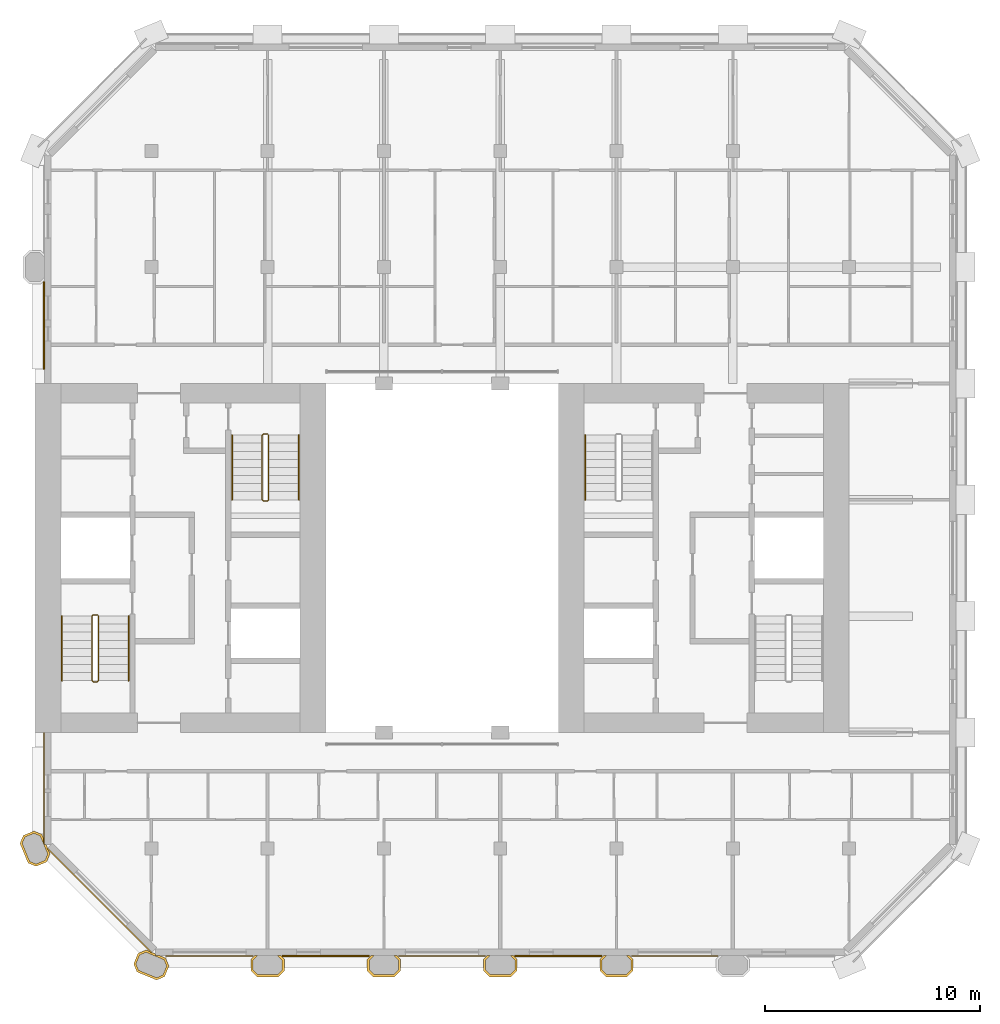
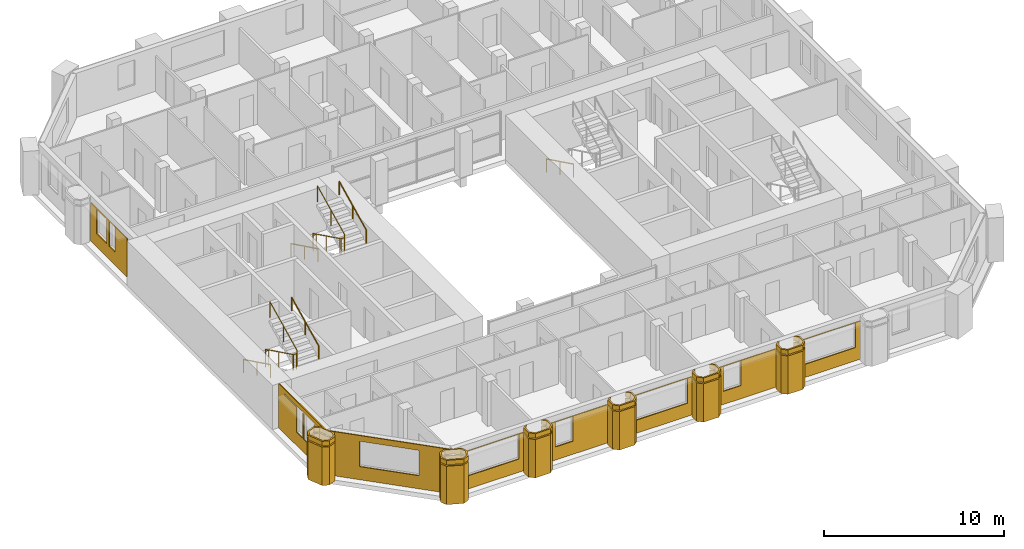
# One storey, part 11 of 13: 20 coverings, 7 railings.
"""IFC4 building model written with IfcOpenShell, lengths in metres."""

from ifc_helpers import new_model, si_unit, direction, frame, origin, origin_2d, place, context, subcontext, project, spatial, polyline, circle, outline, extrude, material, layer, layer_set, type_object, element, save


model = new_model("IFC4")

# Units and contexts
model_context = context("Model", 3, precision=1e-05, world=origin(), true_north=direction((0.0, 1.0)))
body_context = subcontext(model_context, "Body", "Model", "MODEL_VIEW")
ifc_project = project(units=[si_unit("LENGTHUNIT", "METRE"), si_unit("AREAUNIT", "SQUARE_METRE"), si_unit("VOLUMEUNIT", "CUBIC_METRE"), si_unit("PLANEANGLEUNIT", "RADIAN"), si_unit("MASSUNIT", "GRAM", prefix="KILO")], contexts=[model_context])

# Site, building, storey
site_placement = place(None, origin())
site = spatial("IfcSite", under=ifc_project, at=site_placement, CompositionType="ELEMENT")
building_placement = place(site_placement, origin())
building = spatial("IfcBuilding", under=site, at=building_placement, Name="Tabaq Tower and Sports Hall", CompositionType="ELEMENT")
storey_placement = place(building_placement, frame((0.0, 0.0, 301.60009765625)))
storey = spatial("IfcBuildingStorey", under=building, at=storey_placement, Name="L75", CompositionType="ELEMENT", Elevation=301.60009765625)

# Coverings
ifc_material_1 = material(Name="Precast concrete C60/75", Category="concrete")
ifc_layer_1 = layer(ifc_material_1, 0.10009765625)
ifc_layer_set_1 = layer_set([ifc_layer_1], Name="Column cladding 100")
covering_type_1 = type_object("IfcCoveringType", Name="Column cladding 100", PredefinedType="CLADDING", material=ifc_layer_set_1)
covering_1_placement = place(storey_placement, origin())
element("IfcCovering", 1, at=covering_1_placement, inside=storey, type_object=covering_type_1, Name="Column cladding L75 PC-2C-R2", PredefinedType="CLADDING", context=body_context, shape_type="SweptSolid", body=[
    extrude(outline(polyline([(5.450439453125, 9.982421875), (5.080078125, 10.1357421875), (4.7041015625, 11.04345703125), (4.857421875, 11.413818359375), (5.349609375, 11.61767578125), (5.7197265625, 11.46435546875), (5.789794921875, 11.295654296875), (5.789794921875, 11.04296875), (5.849609375, 11.04296875), (5.849609375, 10.986083984375), (5.91796875, 10.986083984375), (5.9814453125, 10.83251953125), (5.9501953125, 10.801025390625), (6.026123046875, 10.72509765625), (6.095947265625, 10.556396484375), (5.9423828125, 10.186279296875), (5.450439453125, 9.982421875)]), holes=[polyline([(5.349609375, 11.510009765625), (4.93359375, 11.337646484375), (4.811767578125, 11.04345703125), (5.15625, 10.2119140625), (5.450439453125, 10.08984375), (5.866455078125, 10.26220703125), (5.98828125, 10.556396484375), (5.643798828125, 11.38818359375), (5.349609375, 11.510009765625)])]), origin(), (0.0, 0.0, 1.0), 2.599853515625),
])
covering_2_placement = place(storey_placement, frame((0.0, 0.0, 2.699951171875)))
element("IfcCovering", 2, at=covering_2_placement, inside=storey, type_object=covering_type_1, Name="Column cladding L75 PC-2C-R2 2", PredefinedType="CLADDING", context=body_context, shape_type="SweptSolid", body=[
    extrude(outline(polyline([(5.450439453125, 9.982421875), (5.080078125, 10.1357421875), (4.7041015625, 11.04345703125), (4.857421875, 11.413818359375), (5.349609375, 11.61767578125), (5.7197265625, 11.46435546875), (5.789794921875, 11.295654296875), (5.789794921875, 11.04296875), (5.849609375, 11.04296875), (5.849609375, 10.986083984375), (5.91796875, 10.986083984375), (5.9814453125, 10.83251953125), (5.9501953125, 10.801025390625), (6.026123046875, 10.72509765625), (6.095947265625, 10.556396484375), (5.9423828125, 10.186279296875), (5.450439453125, 9.982421875)]), holes=[polyline([(5.349609375, 11.510009765625), (4.93359375, 11.337646484375), (4.811767578125, 11.04345703125), (5.15625, 10.2119140625), (5.450439453125, 10.08984375), (5.866455078125, 10.26220703125), (5.98828125, 10.556396484375), (5.643798828125, 11.38818359375), (5.349609375, 11.510009765625)])]), origin(), (0.0, 0.0, 1.0), 0.300048828125),
])
covering_3_placement = place(storey_placement, origin())
element("IfcCovering", 3, at=covering_3_placement, inside=storey, type_object=covering_type_1, Name="Column cladding L75 PC-3B-R2", PredefinedType="CLADDING", context=body_context, shape_type="SweptSolid", body=[
    extrude(outline(polyline([(11.413818359375, 4.857421875), (11.04345703125, 4.7041015625), (10.1357421875, 5.080078125), (9.982421875, 5.450439453125), (10.186279296875, 5.9423828125), (10.556396484375, 6.095947265625), (10.72509765625, 6.026123046875), (10.801025390625, 5.9501953125), (10.83251953125, 5.9814453125), (10.986083984375, 5.91796875), (10.986083984375, 5.849609375), (11.15087890625, 5.849609375), (11.46435546875, 5.7197265625), (11.61767578125, 5.349609375), (11.413818359375, 4.857421875)]), holes=[polyline([(10.26220703125, 5.866455078125), (10.08984375, 5.450439453125), (10.2119140625, 5.15625), (11.04345703125, 4.811767578125), (11.337646484375, 4.93359375), (11.510009765625, 5.349609375), (11.38818359375, 5.643798828125), (10.556396484375, 5.98828125), (10.26220703125, 5.866455078125)])]), origin(), (0.0, 0.0, 1.0), 2.599853515625),
])
covering_4_placement = place(storey_placement, frame((0.0, 0.0, 2.699951171875)))
element("IfcCovering", 4, at=covering_4_placement, inside=storey, type_object=covering_type_1, Name="Column cladding L75 PC-3B-R2 2", PredefinedType="CLADDING", context=body_context, shape_type="SweptSolid", body=[
    extrude(outline(polyline([(11.413818359375, 4.857421875), (11.04345703125, 4.7041015625), (10.1357421875, 5.080078125), (9.982421875, 5.450439453125), (10.186279296875, 5.9423828125), (10.556396484375, 6.095947265625), (10.72509765625, 6.026123046875), (10.801025390625, 5.9501953125), (10.83251953125, 5.9814453125), (10.986083984375, 5.91796875), (10.986083984375, 5.849609375), (11.15087890625, 5.849609375), (11.46435546875, 5.7197265625), (11.61767578125, 5.349609375), (11.413818359375, 4.857421875)]), holes=[polyline([(10.26220703125, 5.866455078125), (10.08984375, 5.450439453125), (10.2119140625, 5.15625), (11.04345703125, 4.811767578125), (11.337646484375, 4.93359375), (11.510009765625, 5.349609375), (11.38818359375, 5.643798828125), (10.556396484375, 5.98828125), (10.26220703125, 5.866455078125)])]), origin(), (0.0, 0.0, 1.0), 0.300048828125),
])
covering_5_placement = place(storey_placement, origin())
element("IfcCovering", 5, at=covering_5_placement, inside=storey, type_object=covering_type_1, Name="Column cladding L75 PC-4B-R2", PredefinedType="CLADDING", context=body_context, shape_type="SweptSolid", body=[
    extrude(outline(polyline([(15.42529296875, 5.666259765625), (15.608642578125, 5.849609375), (15.749267578125, 5.849609375), (15.524658203125, 5.625244140625), (15.524658203125, 5.1748046875), (15.749755859375, 4.94970703125), (16.650146484375, 4.94970703125), (16.875244140625, 5.1748046875), (16.875244140625, 5.625244140625), (16.650634765625, 5.849609375), (16.791259765625, 5.849609375), (16.974609375, 5.666259765625), (16.974609375, 5.1337890625), (16.69140625, 4.850341796875), (15.708740234375, 4.850341796875), (15.42529296875, 5.1337890625), (15.42529296875, 5.666259765625)])), origin(), (0.0, 0.0, 1.0), 2.599853515625),
])
covering_6_placement = place(storey_placement, frame((0.0, 0.0, 2.699951171875)))
element("IfcCovering", 6, at=covering_6_placement, inside=storey, type_object=covering_type_1, Name="Column cladding L75 PC-4B-R2 2", PredefinedType="CLADDING", context=body_context, shape_type="SweptSolid", body=[
    extrude(outline(polyline([(15.42529296875, 5.666259765625), (15.608642578125, 5.849609375), (15.749267578125, 5.849609375), (15.524658203125, 5.625244140625), (15.524658203125, 5.1748046875), (15.749755859375, 4.94970703125), (16.650146484375, 4.94970703125), (16.875244140625, 5.1748046875), (16.875244140625, 5.625244140625), (16.650634765625, 5.849609375), (16.791259765625, 5.849609375), (16.974609375, 5.666259765625), (16.974609375, 5.1337890625), (16.69140625, 4.850341796875), (15.708740234375, 4.850341796875), (15.42529296875, 5.1337890625), (15.42529296875, 5.666259765625)])), origin(), (0.0, 0.0, 1.0), 0.300048828125),
])
covering_7_placement = place(storey_placement, origin())
element("IfcCovering", 7, at=covering_7_placement, inside=storey, type_object=covering_type_1, Name="Column cladding L75 PC-5B-R2", PredefinedType="CLADDING", context=body_context, shape_type="SweptSolid", body=[
    extrude(outline(polyline([(20.8251953125, 5.666259765625), (21.0087890625, 5.849609375), (21.149169921875, 5.849609375), (20.9248046875, 5.625244140625), (20.9248046875, 5.1748046875), (21.14990234375, 4.94970703125), (22.050048828125, 4.94970703125), (22.275390625, 5.1748046875), (22.275390625, 5.625244140625), (22.05078125, 5.849609375), (22.19140625, 5.849609375), (22.374755859375, 5.666259765625), (22.374755859375, 5.1337890625), (22.09130859375, 4.850341796875), (21.108642578125, 4.850341796875), (20.8251953125, 5.1337890625), (20.8251953125, 5.666259765625)])), origin(), (0.0, 0.0, 1.0), 2.599853515625),
])
covering_8_placement = place(storey_placement, frame((0.0, 0.0, 2.699951171875)))
element("IfcCovering", 8, at=covering_8_placement, inside=storey, type_object=covering_type_1, Name="Column cladding L75 PC-5B-R2 2", PredefinedType="CLADDING", context=body_context, shape_type="SweptSolid", body=[
    extrude(outline(polyline([(20.8251953125, 5.666259765625), (21.0087890625, 5.849609375), (21.149169921875, 5.849609375), (20.9248046875, 5.625244140625), (20.9248046875, 5.1748046875), (21.14990234375, 4.94970703125), (22.050048828125, 4.94970703125), (22.275390625, 5.1748046875), (22.275390625, 5.625244140625), (22.05078125, 5.849609375), (22.19140625, 5.849609375), (22.374755859375, 5.666259765625), (22.374755859375, 5.1337890625), (22.09130859375, 4.850341796875), (21.108642578125, 4.850341796875), (20.8251953125, 5.1337890625), (20.8251953125, 5.666259765625)])), origin(), (0.0, 0.0, 1.0), 0.300048828125),
])
covering_9_placement = place(storey_placement, origin())
element("IfcCovering", 9, at=covering_9_placement, inside=storey, type_object=covering_type_1, Name="Column cladding L75 PC-6B-R2", PredefinedType="CLADDING", context=body_context, shape_type="SweptSolid", body=[
    extrude(outline(polyline([(26.225341796875, 5.666259765625), (26.40869140625, 5.849609375), (26.54931640625, 5.849609375), (26.32470703125, 5.625244140625), (26.32470703125, 5.1748046875), (26.5498046875, 4.94970703125), (27.4501953125, 4.94970703125), (27.67529296875, 5.1748046875), (27.67529296875, 5.625244140625), (27.45068359375, 5.849609375), (27.59130859375, 5.849609375), (27.774658203125, 5.666259765625), (27.774658203125, 5.1337890625), (27.4912109375, 4.850341796875), (26.5087890625, 4.850341796875), (26.225341796875, 5.1337890625), (26.225341796875, 5.666259765625)])), origin(), (0.0, 0.0, 1.0), 2.599853515625),
])
covering_10_placement = place(storey_placement, frame((0.0, 0.0, 2.699951171875)))
element("IfcCovering", 10, at=covering_10_placement, inside=storey, type_object=covering_type_1, Name="Column cladding L75 PC-6B-R2 2", PredefinedType="CLADDING", context=body_context, shape_type="SweptSolid", body=[
    extrude(outline(polyline([(26.225341796875, 5.666259765625), (26.40869140625, 5.849609375), (26.54931640625, 5.849609375), (26.32470703125, 5.625244140625), (26.32470703125, 5.1748046875), (26.5498046875, 4.94970703125), (27.4501953125, 4.94970703125), (27.67529296875, 5.1748046875), (27.67529296875, 5.625244140625), (27.45068359375, 5.849609375), (27.59130859375, 5.849609375), (27.774658203125, 5.666259765625), (27.774658203125, 5.1337890625), (27.4912109375, 4.850341796875), (26.5087890625, 4.850341796875), (26.225341796875, 5.1337890625), (26.225341796875, 5.666259765625)])), origin(), (0.0, 0.0, 1.0), 0.300048828125),
])
covering_11_placement = place(storey_placement, origin())
element("IfcCovering", 11, at=covering_11_placement, inside=storey, type_object=covering_type_1, Name="Column cladding L75 PC-7B-R2", PredefinedType="CLADDING", context=body_context, shape_type="SweptSolid", body=[
    extrude(outline(polyline([(31.625244140625, 5.666259765625), (31.80859375, 5.849609375), (31.94921875, 5.849609375), (31.724609375, 5.625244140625), (31.724609375, 5.1748046875), (31.949951171875, 4.94970703125), (32.85009765625, 4.94970703125), (33.0751953125, 5.1748046875), (33.0751953125, 5.625244140625), (32.850830078125, 5.849609375), (32.9912109375, 5.849609375), (33.1748046875, 5.666259765625), (33.1748046875, 5.1337890625), (32.891357421875, 4.850341796875), (31.90869140625, 4.850341796875), (31.625244140625, 5.1337890625), (31.625244140625, 5.666259765625)])), origin(), (0.0, 0.0, 1.0), 2.599853515625),
])
covering_12_placement = place(storey_placement, frame((0.0, 0.0, 2.699951171875)))
element("IfcCovering", 12, at=covering_12_placement, inside=storey, type_object=covering_type_1, Name="Column cladding L75 PC-7B-R2 2", PredefinedType="CLADDING", context=body_context, shape_type="SweptSolid", body=[
    extrude(outline(polyline([(31.625244140625, 5.666259765625), (31.80859375, 5.849609375), (31.94921875, 5.849609375), (31.724609375, 5.625244140625), (31.724609375, 5.1748046875), (31.949951171875, 4.94970703125), (32.85009765625, 4.94970703125), (33.0751953125, 5.1748046875), (33.0751953125, 5.625244140625), (32.850830078125, 5.849609375), (32.9912109375, 5.849609375), (33.1748046875, 5.666259765625), (33.1748046875, 5.1337890625), (32.891357421875, 4.850341796875), (31.90869140625, 4.850341796875), (31.625244140625, 5.1337890625), (31.625244140625, 5.666259765625)])), origin(), (0.0, 0.0, 1.0), 0.300048828125),
])

# Railings
ifc_material_2 = material(Name="Stainless steel", Category="steel")
railing_type_1 = type_object("IfcRailingType", Name="Stair guard", PredefinedType="GUARDRAIL", material=ifc_material_2)
railing_1_placement = place(storey_placement, frame((8.300048828125, 21.64990234375, 0.0)))
element("IfcRailing", 13, at=railing_1_placement, inside=storey, type_object=railing_type_1, Name="L75 ST1 stair guard 1", PredefinedType="GUARDRAIL", context=body_context, shape_type="SweptSolid", body=[
    extrude(circle(Radius=0.02392578125, at=origin_2d()), frame((0.0, 0.0, 1.076171875), z_axis=(-1.0, 0.0, 0.0), x_axis=(0.0, -1.0, 0.0)), (0.0, 0.0, 1.0), 0.199951171875),
    extrude(circle(Radius=0.02392578125, at=origin_2d()), frame((-0.199951171875, 0.0, 1.076171875), z_axis=(-0.254733673405, -0.25349107012, 0.933195066962), x_axis=(0.705375805398, -0.708833529934, 0.0)), (0.0, 0.0, 1.0), 0.196533203125),
    extrude(circle(Radius=0.02392578125, at=origin_2d()), frame((-0.25, -0.0498046875, 1.25927734375), z_axis=(0.0, -0.898397823093, 0.439182594671), x_axis=(1.0, 0.0, 0.0)), (0.0, 0.0, 1.0), 3.33935546875),
    extrude(circle(Radius=0.02392578125, at=origin_2d()), frame((-0.25, -3.0498046875, 2.72607421875), z_axis=(0.707106781187, -0.707106781187, 0.0), x_axis=(0.707106781187, 0.707106781187, 0.0)), (0.0, 0.0, 1.0), 0.07080078125),
    extrude(circle(Radius=0.02392578125, at=origin_2d()), frame((-0.199951171875, -3.099853515625, 2.72607421875), z_axis=(1.0, 0.0, 0.0), x_axis=(0.0, 1.0, 0.0)), (0.0, 0.0, 1.0), 0.199951171875),
    extrude(circle(Radius=0.02392578125, at=origin_2d()), frame((0.0, -3.099853515625, 2.72607421875), z_axis=(0.254653276557, 0.254653276557, 0.932900539971), x_axis=(-0.707106781187, 0.707106781187, 0.0)), (0.0, 0.0, 1.0), 0.196533203125),
    extrude(circle(Radius=0.02392578125, at=origin_2d()), frame((0.050048828125, -3.0498046875, 2.9091796875), z_axis=(0.0, 0.898397823093, 0.439182594671), x_axis=(-1.0, 0.0, 0.0)), (0.0, 0.0, 1.0), 3.33935546875),
    extrude(circle(Radius=0.02099609375, at=origin_2d()), origin(), (0.0, 0.0, 1.0), 1.052001953125),
    extrude(circle(Radius=0.02099609375, at=origin_2d()), frame((-0.199951171875, 0.0, 0.0)), (0.0, 0.0, 1.0), 1.052001953125),
    extrude(circle(Radius=0.02099609375, at=origin_2d()), frame((-0.25, -0.0498046875, 0.183349609375)), (0.0, 0.0, 1.0), 1.052001953125),
    extrude(circle(Radius=0.02099609375, at=origin_2d()), frame((-0.25, -1.5498046875, 0.91650390625)), (0.0, 0.0, 1.0), 1.052001953125),
    extrude(circle(Radius=0.02099609375, at=origin_2d()), frame((-0.25, -3.0498046875, 1.64990234375)), (0.0, 0.0, 1.0), 1.052001953125),
    extrude(circle(Radius=0.02099609375, at=origin_2d()), frame((-0.199951171875, -3.099853515625, 1.64990234375)), (0.0, 0.0, 1.0), 1.052001953125),
    extrude(circle(Radius=0.02099609375, at=origin_2d()), frame((0.0, -3.099853515625, 1.64990234375)), (0.0, 0.0, 1.0), 1.052001953125),
    extrude(circle(Radius=0.02099609375, at=origin_2d()), frame((0.050048828125, -3.0498046875, 1.833251953125)), (0.0, 0.0, 1.0), 1.052001953125),
    extrude(circle(Radius=0.02099609375, at=origin_2d()), frame((0.050048828125, -1.5498046875, 2.56640625)), (0.0, 0.0, 1.0), 1.052001953125),
    extrude(circle(Radius=0.02099609375, at=origin_2d()), frame((0.050048828125, -0.0498046875, 3.2998046875)), (0.0, 0.0, 1.0), 1.052001953125),
])
railing_2_placement = place(storey_placement, frame((16.199951171875, 30.050048828125, 0.0)))
element("IfcRailing", 14, at=railing_2_placement, inside=storey, type_object=railing_type_1, Name="L75 ST2 stair guard 1", PredefinedType="GUARDRAIL", context=body_context, shape_type="SweptSolid", body=[
    extrude(circle(Radius=0.02392578125, at=origin_2d()), frame((0.0, 0.0, 1.076171875), z_axis=(-1.0, 0.0, 0.0), x_axis=(0.0, -1.0, 0.0)), (0.0, 0.0, 1.0), 0.199951171875),
    extrude(circle(Radius=0.02392578125, at=origin_2d()), frame((-0.199951171875, 0.0, 1.076171875), z_axis=(-0.254653276557, -0.254653276557, 0.932900539971), x_axis=(0.707106781187, -0.707106781187, 0.0)), (0.0, 0.0, 1.0), 0.196533203125),
    extrude(circle(Radius=0.02392578125, at=origin_2d()), frame((-0.25, -0.050048828125, 1.25927734375), z_axis=(0.0, -0.898397823093, 0.439182594671), x_axis=(1.0, 0.0, 0.0)), (0.0, 0.0, 1.0), 3.33935546875),
    extrude(circle(Radius=0.02392578125, at=origin_2d()), frame((-0.25, -3.050048828125, 2.72607421875), z_axis=(0.707106781187, -0.707106781187, 0.0), x_axis=(0.707106781187, 0.707106781187, 0.0)), (0.0, 0.0, 1.0), 0.07080078125),
    extrude(circle(Radius=0.02392578125, at=origin_2d()), frame((-0.199951171875, -3.10009765625, 2.72607421875), z_axis=(1.0, 0.0, 0.0), x_axis=(0.0, 1.0, 0.0)), (0.0, 0.0, 1.0), 0.199951171875),
    extrude(circle(Radius=0.02392578125, at=origin_2d()), frame((0.0, -3.10009765625, 2.72607421875), z_axis=(0.254653276557, 0.254653276557, 0.932900539971), x_axis=(-0.707106781187, 0.707106781187, 0.0)), (0.0, 0.0, 1.0), 0.196533203125),
    extrude(circle(Radius=0.02392578125, at=origin_2d()), frame((0.050048828125, -3.050048828125, 2.9091796875), z_axis=(0.0, 0.898397823093, 0.439182594671), x_axis=(-1.0, 0.0, 0.0)), (0.0, 0.0, 1.0), 3.33935546875),
    extrude(circle(Radius=0.02099609375, at=origin_2d()), origin(), (0.0, 0.0, 1.0), 1.052001953125),
    extrude(circle(Radius=0.02099609375, at=origin_2d()), frame((-0.199951171875, 0.0, 0.0)), (0.0, 0.0, 1.0), 1.052001953125),
    extrude(circle(Radius=0.02099609375, at=origin_2d()), frame((-0.25, -0.050048828125, 0.183349609375)), (0.0, 0.0, 1.0), 1.052001953125),
    extrude(circle(Radius=0.02099609375, at=origin_2d()), frame((-0.25, -1.550048828125, 0.91650390625)), (0.0, 0.0, 1.0), 1.052001953125),
    extrude(circle(Radius=0.02099609375, at=origin_2d()), frame((-0.25, -3.050048828125, 1.64990234375)), (0.0, 0.0, 1.0), 1.052001953125),
    extrude(circle(Radius=0.02099609375, at=origin_2d()), frame((-0.199951171875, -3.10009765625, 1.64990234375)), (0.0, 0.0, 1.0), 1.052001953125),
    extrude(circle(Radius=0.02099609375, at=origin_2d()), frame((0.0, -3.10009765625, 1.64990234375)), (0.0, 0.0, 1.0), 1.052001953125),
    extrude(circle(Radius=0.02099609375, at=origin_2d()), frame((0.050048828125, -3.050048828125, 1.833251953125)), (0.0, 0.0, 1.0), 1.052001953125),
    extrude(circle(Radius=0.02099609375, at=origin_2d()), frame((0.050048828125, -1.550048828125, 2.56640625)), (0.0, 0.0, 1.0), 1.052001953125),
    extrude(circle(Radius=0.02099609375, at=origin_2d()), frame((0.050048828125, -0.050048828125, 3.2998046875)), (0.0, 0.0, 1.0), 1.052001953125),
])
ifc_material_3 = material(Name="Stainless steel", Category="steel")
railing_type_2 = type_object("IfcRailingType", Name="Stair handrail", PredefinedType="HANDRAIL", material=ifc_material_3)
railing_3_placement = place(storey_placement, frame((6.64990234375, 21.60009765625, 0.183349609375)))
element("IfcRailing", 15, at=railing_3_placement, inside=storey, type_object=railing_type_2, Name="L75 ST1 stair handrail 1", PredefinedType="HANDRAIL", context=body_context, shape_type="SweptSolid", body=[
    extrude(circle(Radius=0.02392578125, at=origin_2d()), frame((0.0, 0.0, 0.8759765625), z_axis=(0.0, -0.898397823093, 0.439182594671), x_axis=(1.0, 0.0, 0.0)), (0.0, 0.0, 1.0), 3.33935546875),
    extrude(circle(Radius=0.02099609375, at=origin_2d()), origin(), (0.0, 0.0, 1.0), 0.851806640625),
    extrude(circle(Radius=0.02099609375, at=origin_2d()), frame((0.0, -1.5, 0.7333984375)), (0.0, 0.0, 1.0), 0.851806640625),
    extrude(circle(Radius=0.02099609375, at=origin_2d()), frame((0.0, -3.0, 1.466552734375)), (0.0, 0.0, 1.0), 0.851806640625),
])
railing_4_placement = place(storey_placement, frame((9.75, 18.60009765625, 1.833251953125)))
element("IfcRailing", 16, at=railing_4_placement, inside=storey, type_object=railing_type_2, Name="L75 ST1 stair handrail 2", PredefinedType="HANDRAIL", context=body_context, shape_type="SweptSolid", body=[
    extrude(circle(Radius=0.02392578125, at=origin_2d()), frame((0.0, 0.0, 0.8759765625), z_axis=(0.0, 0.898397823093, 0.439182594671), x_axis=(-1.0, 0.0, 0.0)), (0.0, 0.0, 1.0), 3.33935546875),
    extrude(circle(Radius=0.02099609375, at=origin_2d()), origin(), (0.0, 0.0, 1.0), 0.851806640625),
    extrude(circle(Radius=0.02099609375, at=origin_2d()), frame((0.0, 1.5, 0.7333984375)), (0.0, 0.0, 1.0), 0.851806640625),
    extrude(circle(Radius=0.02099609375, at=origin_2d()), frame((0.0, 3.0, 1.466552734375)), (0.0, 0.0, 1.0), 0.851806640625),
])
railing_5_placement = place(storey_placement, frame((14.550048828125, 30.0, 0.183349609375)))
element("IfcRailing", 17, at=railing_5_placement, inside=storey, type_object=railing_type_2, Name="L75 ST2 stair handrail 1", PredefinedType="HANDRAIL", context=body_context, shape_type="SweptSolid", body=[
    extrude(circle(Radius=0.02392578125, at=origin_2d()), frame((0.0, 0.0, 0.8759765625), z_axis=(0.0, -0.898397823093, 0.439182594671), x_axis=(1.0, 0.0, 0.0)), (0.0, 0.0, 1.0), 3.33935546875),
    extrude(circle(Radius=0.02099609375, at=origin_2d()), origin(), (0.0, 0.0, 1.0), 0.851806640625),
    extrude(circle(Radius=0.02099609375, at=origin_2d()), frame((0.0, -1.5, 0.7333984375)), (0.0, 0.0, 1.0), 0.851806640625),
    extrude(circle(Radius=0.02099609375, at=origin_2d()), frame((0.0, -3.0, 1.466552734375)), (0.0, 0.0, 1.0), 0.851806640625),
])
railing_6_placement = place(storey_placement, frame((17.64990234375, 27.0, 1.833251953125)))
element("IfcRailing", 18, at=railing_6_placement, inside=storey, type_object=railing_type_2, Name="L75 ST2 stair handrail 2", PredefinedType="HANDRAIL", context=body_context, shape_type="SweptSolid", body=[
    extrude(circle(Radius=0.02392578125, at=origin_2d()), frame((0.0, 0.0, 0.8759765625), z_axis=(0.0, 0.898397823093, 0.439182594671), x_axis=(-1.0, 0.0, 0.0)), (0.0, 0.0, 1.0), 3.33935546875),
    extrude(circle(Radius=0.02099609375, at=origin_2d()), origin(), (0.0, 0.0, 1.0), 0.851806640625),
    extrude(circle(Radius=0.02099609375, at=origin_2d()), frame((0.0, 1.5, 0.7333984375)), (0.0, 0.0, 1.0), 0.851806640625),
    extrude(circle(Radius=0.02099609375, at=origin_2d()), frame((0.0, 3.0, 1.466552734375)), (0.0, 0.0, 1.0), 0.851806640625),
])
railing_7_placement = place(storey_placement, frame((30.949951171875, 30.0, 0.183349609375)))
element("IfcRailing", 19, at=railing_7_placement, inside=storey, type_object=railing_type_2, Name="L75 ST4 stair handrail 1", PredefinedType="HANDRAIL", context=body_context, shape_type="SweptSolid", body=[
    extrude(circle(Radius=0.02392578125, at=origin_2d()), frame((0.0, 0.0, 0.8759765625), z_axis=(0.0, -0.898397823093, 0.439182594671), x_axis=(1.0, 0.0, 0.0)), (0.0, 0.0, 1.0), 3.33935546875),
    extrude(circle(Radius=0.02099609375, at=origin_2d()), origin(), (0.0, 0.0, 1.0), 0.851806640625),
    extrude(circle(Radius=0.02099609375, at=origin_2d()), frame((0.0, -1.5, 0.7333984375)), (0.0, 0.0, 1.0), 0.851806640625),
    extrude(circle(Radius=0.02099609375, at=origin_2d()), frame((0.0, -3.0, 1.466552734375)), (0.0, 0.0, 1.0), 0.851806640625),
])

# Coverings
ifc_material_4 = material(Name="Precast concrete C60/75", Category="concrete")
ifc_layer_2 = layer(ifc_material_4, 0.06005859375)
ifc_layer_set_2 = layer_set([ifc_layer_2], Name="White precast cladding panel 60 C60/75")
covering_type_2 = type_object("IfcCoveringType", Name="White precast cladding panel 60 C60/75", PredefinedType="CLADDING", material=ifc_layer_set_2)
covering_13_placement = place(storey_placement, frame((11.465087890625, 5.820068359375, 0.0), z_axis=(0.0, 0.0, 1.0), x_axis=(1.0, 0.0, 0.0)))
element("IfcCovering", 20, at=covering_13_placement, inside=storey, type_object=covering_type_2, Name="White precast cladding panel L75 wall00", PredefinedType="CLADDING", context=body_context, shape_type="SweptSolid", body=[
    extrude(outline(polyline([(0.0, 0.0), (4.0498046875, 0.0), (4.0498046875, 2.58984375), (0.0, 2.58984375), (0.0, 0.0)]), holes=[polyline([(3.7451171875, 0.889892578125), (0.324951171875, 0.889892578125), (0.324951171875, 2.559814453125), (3.7451171875, 2.559814453125), (3.7451171875, 0.889892578125)])]), frame((0.0, 0.030029296875, 0.0), z_axis=(0.0, -1.0, 0.0), x_axis=(1.0, 0.0, 0.0)), (0.0, 0.0, 1.0), 0.06005859375),
])
covering_14_placement = place(storey_placement, frame((16.885009765625, 5.820068359375, 0.0), z_axis=(0.0, 0.0, 1.0), x_axis=(1.0, 0.0, 0.0)))
element("IfcCovering", 21, at=covering_14_placement, inside=storey, type_object=covering_type_2, Name="White precast cladding panel L75 wall00 2", PredefinedType="CLADDING", context=body_context, shape_type="SweptSolid", body=[
    extrude(outline(polyline([(0.0, 0.0), (4.030029296875, 0.0), (4.030029296875, 2.58984375), (0.0, 2.58984375), (0.0, 0.0)]), holes=[polyline([(1.77490234375, 0.889892578125), (0.655029296875, 0.889892578125), (0.655029296875, 2.559814453125), (1.77490234375, 2.559814453125), (1.77490234375, 0.889892578125)])]), frame((0.0, 0.030029296875, 0.0), z_axis=(0.0, -1.0, 0.0), x_axis=(1.0, 0.0, 0.0)), (0.0, 0.0, 1.0), 0.06005859375),
])
covering_15_placement = place(storey_placement, frame((22.284912109375, 5.820068359375, 0.0), z_axis=(0.0, 0.0, 1.0), x_axis=(1.0, 0.0, 0.0)))
element("IfcCovering", 22, at=covering_15_placement, inside=storey, type_object=covering_type_2, Name="White precast cladding panel L75 wall00 3", PredefinedType="CLADDING", context=body_context, shape_type="SweptSolid", body=[
    extrude(outline(polyline([(0.0, 0.0), (4.030029296875, 0.0), (4.030029296875, 2.58984375), (0.0, 2.58984375), (0.0, 0.0)]), holes=[polyline([(3.72509765625, 0.889892578125), (0.304931640625, 0.889892578125), (0.304931640625, 2.559814453125), (3.72509765625, 2.559814453125), (3.72509765625, 0.889892578125)])]), frame((0.0, 0.030029296875, 0.0), z_axis=(0.0, -1.0, 0.0), x_axis=(1.0, 0.0, 0.0)), (0.0, 0.0, 1.0), 0.06005859375),
])
covering_16_placement = place(storey_placement, frame((27.68505859375, 5.820068359375, 0.0), z_axis=(0.0, 0.0, 1.0), x_axis=(1.0, 0.0, 0.0)))
element("IfcCovering", 23, at=covering_16_placement, inside=storey, type_object=covering_type_2, Name="White precast cladding panel L75 wall00 4", PredefinedType="CLADDING", context=body_context, shape_type="SweptSolid", body=[
    extrude(outline(polyline([(0.0, 0.0), (4.030029296875, 0.0), (4.030029296875, 2.58984375), (0.0, 2.58984375), (0.0, 0.0)]), holes=[polyline([(1.77490234375, 0.889892578125), (0.655029296875, 0.889892578125), (0.655029296875, 2.559814453125), (1.77490234375, 2.559814453125), (1.77490234375, 0.889892578125)])]), frame((0.0, 0.030029296875, 0.0), z_axis=(0.0, -1.0, 0.0), x_axis=(1.0, 0.0, 0.0)), (0.0, 0.0, 1.0), 0.06005859375),
])
covering_17_placement = place(storey_placement, frame((33.0849609375, 5.820068359375, 0.0), z_axis=(0.0, 0.0, 1.0), x_axis=(1.0, 0.0, 0.0)))
element("IfcCovering", 24, at=covering_17_placement, inside=storey, type_object=covering_type_2, Name="White precast cladding panel L75 wall00 5", PredefinedType="CLADDING", context=body_context, shape_type="SweptSolid", body=[
    extrude(outline(polyline([(0.0, 0.0), (4.030029296875, 0.0), (4.030029296875, 2.58984375), (0.0, 2.58984375), (0.0, 0.0)]), holes=[polyline([(3.72509765625, 0.889892578125), (0.304931640625, 0.889892578125), (0.304931640625, 2.559814453125), (3.72509765625, 2.559814453125), (3.72509765625, 0.889892578125)])]), frame((0.0, 0.030029296875, 0.0), z_axis=(0.0, -1.0, 0.0), x_axis=(1.0, 0.0, 0.0)), (0.0, 0.0, 1.0), 0.06005859375),
])
covering_18_placement = place(storey_placement, frame((5.820068359375, 37.114990234375, 0.0), z_axis=(0.0, 0.0, 1.0), x_axis=(0.0, -1.0, 0.0)))
element("IfcCovering", 25, at=covering_18_placement, inside=storey, type_object=covering_type_2, Name="White precast cladding panel L75 wall06 2", PredefinedType="CLADDING", context=body_context, shape_type="SweptSolid", body=[
    extrude(outline(polyline([(0.0, 0.0), (4.050048828125, 0.0), (4.050048828125, 2.58984375), (0.0, 2.58984375), (0.0, 0.0)]), holes=[polyline([(0.655029296875, 0.889892578125), (0.655029296875, 2.559814453125), (1.77490234375, 2.559814453125), (1.77490234375, 0.889892578125), (0.655029296875, 0.889892578125)]), polyline([(2.080078125, 0.889892578125), (2.080078125, 2.559814453125), (2.75, 2.559814453125), (2.75, 0.889892578125), (2.080078125, 0.889892578125)])]), frame((0.0, 0.030029296875, 0.0), z_axis=(0.0, -1.0, 0.0), x_axis=(1.0, 0.0, 0.0)), (0.0, 0.0, 1.0), 0.06005859375),
])
covering_19_placement = place(storey_placement, frame((5.820068359375, 16.199951171875, 0.0), z_axis=(0.0, 0.0, 1.0), x_axis=(0.0, -1.0, 0.0)))
element("IfcCovering", 26, at=covering_19_placement, inside=storey, type_object=covering_type_2, Name="White precast cladding panel L75 wall06-1", PredefinedType="CLADDING", context=body_context, shape_type="SweptSolid", body=[
    extrude(outline(polyline([(0.0, 0.0), (5.15673828125, 0.0), (5.15673828125, 3.0), (0.0, 3.0), (0.0, 0.0)]), holes=[polyline([(1.965087890625, 2.58984375), (0.6650390625, 2.58984375), (0.6650390625, 2.7099609375), (4.735107421875, 2.7099609375), (4.735107421875, 2.58984375), (3.909912109375, 2.58984375), (3.909912109375, 0.889892578125), (2.7900390625, 0.889892578125), (2.7900390625, 2.58984375), (2.635009765625, 2.58984375), (2.635009765625, 0.889892578125), (1.965087890625, 0.889892578125), (1.965087890625, 2.58984375)])]), frame((0.0, 0.030029296875, 0.0), z_axis=(0.0, -1.0, 0.0), x_axis=(1.0, 0.0, 0.0)), (0.0, 0.0, 1.0), 0.06005859375),
])
covering_20_placement = place(storey_placement, frame((5.9716796875, 10.822265625, 0.0), z_axis=(0.0, 0.0, 1.0), x_axis=(0.707106781187, -0.707106781187, 0.0)))
element("IfcCovering", 27, at=covering_20_placement, inside=storey, type_object=covering_type_2, Name="White precast cladding panel L75 wall07", PredefinedType="CLADDING", context=body_context, shape_type="SweptSolid", body=[
    extrude(outline(polyline([(0.0, 0.0), (6.85986328125, 0.0), (6.85986328125, 3.0), (0.0, 3.0), (0.0, 0.0)]), holes=[polyline([(1.7197265625, 0.889892578125), (1.7197265625, 2.60986328125), (5.139892578125, 2.60986328125), (5.139892578125, 0.889892578125), (1.7197265625, 0.889892578125)])]), frame((0.0, 0.030029296875, 0.0), z_axis=(0.0, -1.0, 0.0), x_axis=(1.0, 0.0, 0.0)), (0.0, 0.0, 1.0), 0.06005859375),
])

save(model, "model.ifc")
